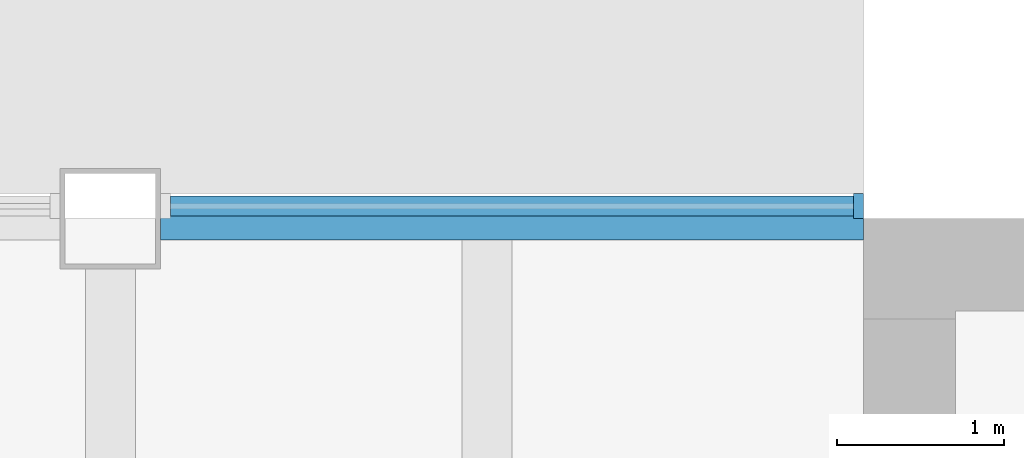
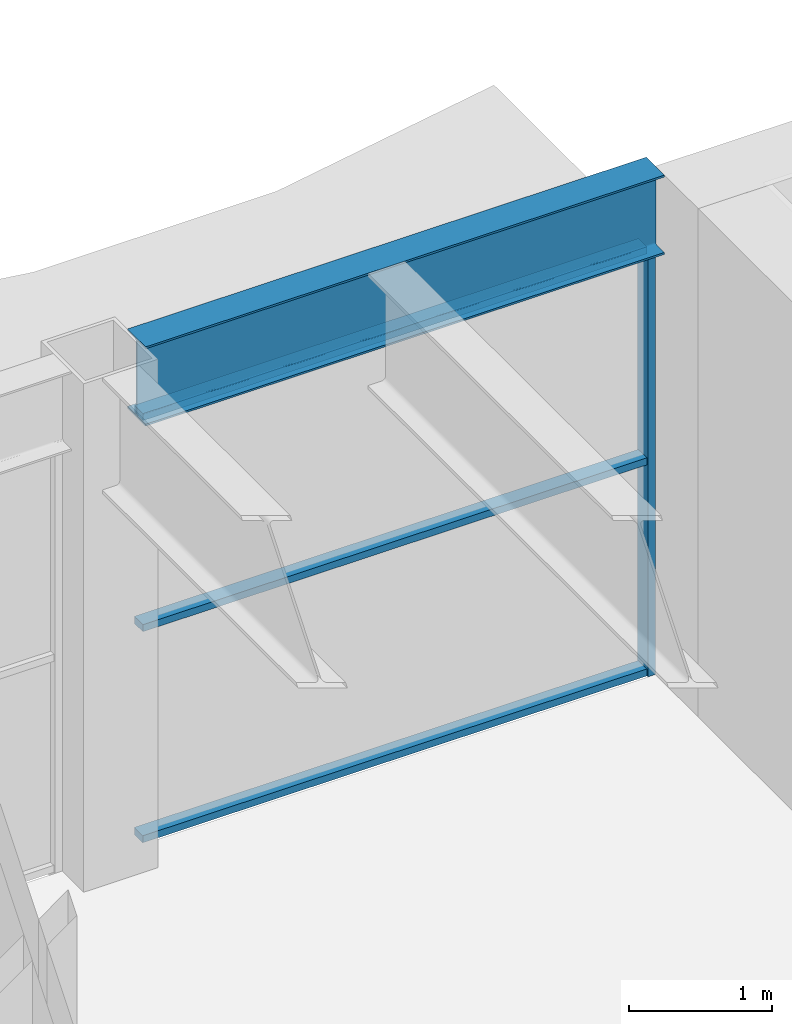
# One storey, part 6 of 15: 4 members, 1 beam, 1 element without a shape of its own.
"""IFC4 building model written with IfcOpenShell, lengths in metres."""

from ifc_helpers import new_model, si_unit, direction, frame, origin, origin_2d, place, context, subcontext, project, spatial, rectangle, i_section, extrude, material, material_profile, profile_set, type_object, element, aggregate, save


model = new_model("IFC4")

# Units and contexts
model_context = context("Model", 3, precision=1e-05, world=origin(), true_north=direction((0.0, 1.0)))
body_context = subcontext(model_context, "Body", "Model", "MODEL_VIEW")
ifc_project = project(units=[si_unit("LENGTHUNIT", "METRE"), si_unit("AREAUNIT", "SQUARE_METRE"), si_unit("VOLUMEUNIT", "CUBIC_METRE"), si_unit("PLANEANGLEUNIT", "RADIAN"), si_unit("MASSUNIT", "GRAM", prefix="KILO")], contexts=[model_context])

# Site, building, storey
site_placement = place(None, origin())
site = spatial("IfcSite", under=ifc_project, at=site_placement, CompositionType="ELEMENT")
building_placement = place(site_placement, origin())
building = spatial("IfcBuilding", under=site, at=building_placement, Name="Sennacour Bend Tower", CompositionType="ELEMENT")
storey_placement = place(building_placement, frame((0.0, 0.0, 318.5)))
storey = spatial("IfcBuildingStorey", under=building, at=storey_placement, Name="L73", CompositionType="ELEMENT", Elevation=318.5)

# Curtain wall, members
ifc_material_1 = material(Name="Bronze anodised aluminium curtain wall with clear glass", Category="aluminium")
curtain_wall_type = type_object("IfcCurtainWallType", Name="CURTAIN WALL EXEC", PredefinedType="NOTDEFINED", material=ifc_material_1)
curtain_wall_placement = place(storey_placement, origin())
curtain_wall = element("IfcCurtainWall", 1, at=curtain_wall_placement, inside=storey, type_object=curtain_wall_type, Name="Executive floor glass wall L73", PredefinedType="NOTDEFINED")
ifc_material_2 = material(Name="Aluminium 6063-T6", Category="aluminium")
ifc_material_profile_1 = material_profile(ifc_material_2, rectangle(XDim=0.14990234375, YDim=0.06005859375, at=origin_2d()), Name="Aluminium 6063-T6", Category="aluminium")
ifc_profile_set_1 = profile_set([ifc_material_profile_1], Name="Aluminium 6063-T6")
member_type_1 = type_object("IfcMemberType", Name="CW-MULLION-150X60", PredefinedType="MULLION", material=ifc_profile_set_1)
member_1_placement = place(storey_placement, frame((53.969970703125, 22.574951171875, 0.0), z_axis=(0.0, 0.0, 1.0), x_axis=(0.0, -1.0, 0.0)))
member_1 = element("IfcMember", 2, at=member_1_placement, type_object=member_type_1, Name="GW3 curtain wall mullion 1", PredefinedType="MULLION", context=body_context, shape_type="SweptSolid", body=[
    extrude(rectangle(XDim=0.14990234375, YDim=0.06005859375, at=origin_2d()), origin(), (0.0, 0.0, 1.0), 3.672119140625),
])
ifc_material_profile_2 = material_profile(ifc_material_2, rectangle(XDim=0.1201171875, YDim=0.06005859375, at=origin_2d()), Name="Aluminium 6063-T6", Category="aluminium")
ifc_profile_set_2 = profile_set([ifc_material_profile_2], Name="Aluminium 6063-T6")
member_type_2 = type_object("IfcMemberType", Name="CW-TRANSOM-120X60", PredefinedType="USERDEFINED", material=ifc_profile_set_2)
member_2_placement = place(storey_placement, frame((53.93994140625, 22.574951171875, 0.030029296875), z_axis=(-1.0, 0.0, 0.0), x_axis=(0.0, -1.0, 0.0)))
member_2 = element("IfcMember", 3, at=member_2_placement, type_object=member_type_2, Name="GW3 curtain wall transom 1.1", ObjectType="TRANSOM", PredefinedType="USERDEFINED", context=body_context, shape_type="SweptSolid", body=[
    extrude(rectangle(XDim=0.1201171875, YDim=0.06005859375, at=origin_2d()), origin(), (0.0, 0.0, 1.0), 4.079833984375),
])
member_3_placement = place(storey_placement, frame((53.93994140625, 22.574951171875, 1.8359375), z_axis=(-1.0, 0.0, 0.0), x_axis=(0.0, -1.0, 0.0)))
member_3 = element("IfcMember", 4, at=member_3_placement, type_object=member_type_2, Name="GW3 curtain wall transom 1.2", ObjectType="TRANSOM", PredefinedType="USERDEFINED", context=body_context, shape_type="SweptSolid", body=[
    extrude(rectangle(XDim=0.1201171875, YDim=0.06005859375, at=origin_2d()), origin(), (0.0, 0.0, 1.0), 4.079833984375),
])
member_4_placement = place(storey_placement, frame((53.93994140625, 22.574951171875, 3.64208984375), z_axis=(-1.0, 0.0, 0.0), x_axis=(0.0, -1.0, 0.0)))
member_4 = element("IfcMember", 5, at=member_4_placement, type_object=member_type_2, Name="GW3 curtain wall transom 1.3", ObjectType="TRANSOM", PredefinedType="USERDEFINED", context=body_context, shape_type="SweptSolid", body=[
    extrude(rectangle(XDim=0.1201171875, YDim=0.06005859375, at=origin_2d()), origin(), (0.0, 0.0, 1.0), 4.079833984375),
])
aggregate(curtain_wall, [member_1, member_2, member_3, member_4])

# Beam
ifc_material_3 = material(Name="Steel ASTM A992 Grade 50", Category="steel")
ifc_material_profile_3 = material_profile(ifc_material_3, i_section(OverallWidth=0.25390625, OverallDepth=0.677978515625, WebThickness=0.01171875, FlangeThickness=0.016357421875, FilletRadius=0.01513671875, at=origin_2d()), Name="Steel ASTM A992 Grade 50", Category="steel")
ifc_profile_set_3 = profile_set([ifc_material_profile_3], Name="Steel ASTM A992 Grade 50")
beam_type = type_object("IfcBeamType", Name="Spandrel beam W690X125", PredefinedType="SPANDREL", material=ifc_profile_set_3)
beam_placement = place(storey_placement, frame((49.800048828125, 22.5, 4.010986328125), z_axis=(1.0, 0.0, 0.0), x_axis=(0.0, 1.0, 0.0)))
element("IfcBeam", 6, at=beam_placement, inside=storey, type_object=beam_type, Name="Spandrel beam SP7 L74-017", PredefinedType="SPANDREL", context=body_context, shape_type="SweptSolid", body=[
    extrude(i_section(OverallWidth=0.25390625, OverallDepth=0.677978515625, WebThickness=0.01171875, FlangeThickness=0.016357421875, FilletRadius=0.01513671875, at=origin_2d()), origin(), (0.0, 0.0, 1.0), 4.199951171875),
])

save(model, "model.ifc")
